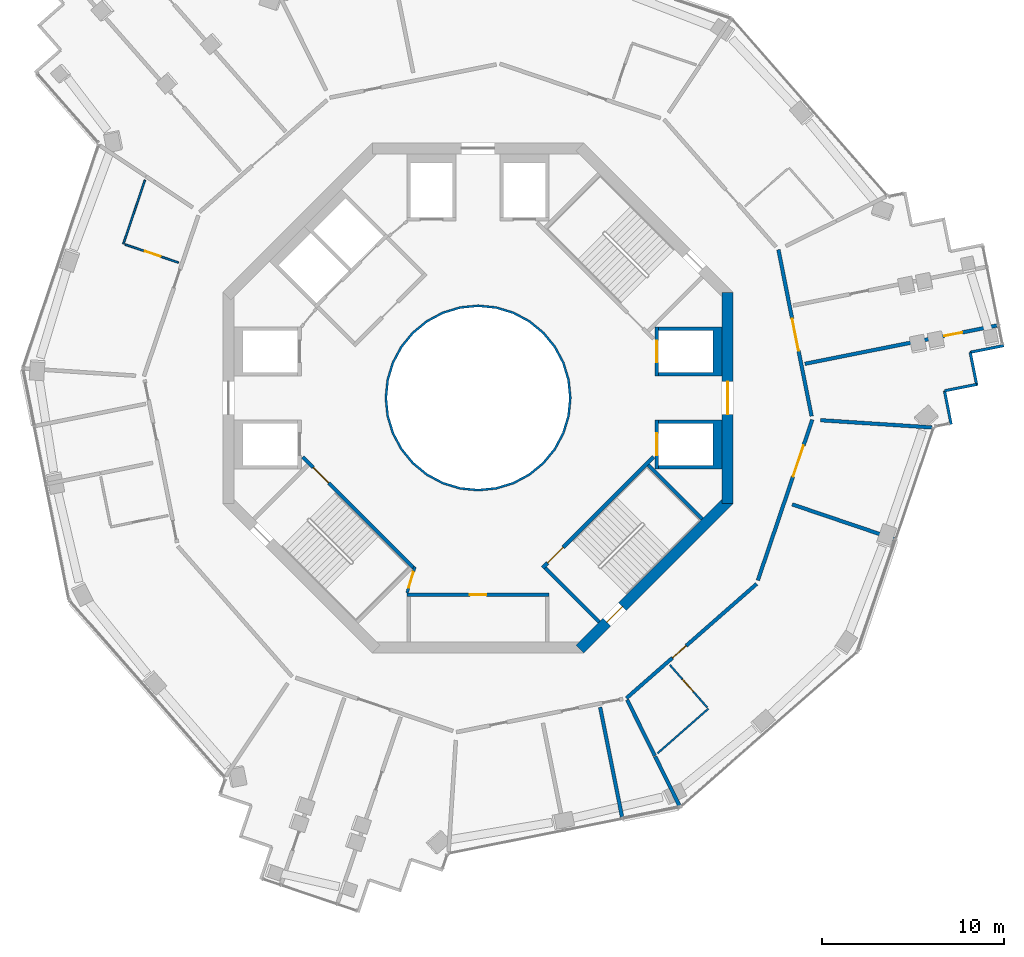
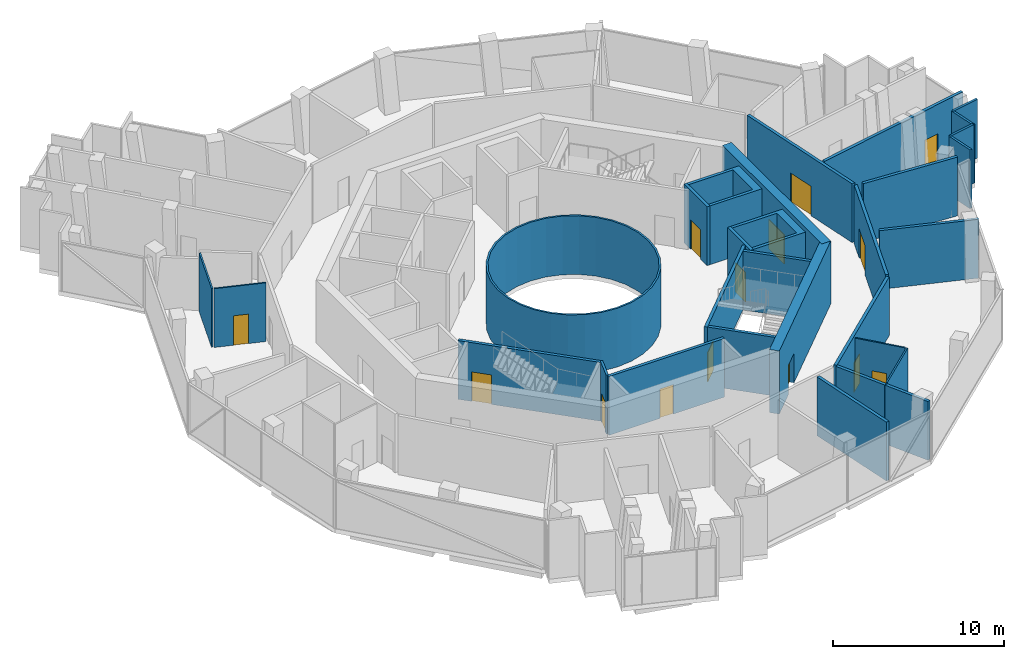
# One storey, part 12 of 17: 30 walls, 14 doors, 14 openings.
"""IFC4 building model written with IfcOpenShell, lengths in metres."""

from ifc_helpers import new_model, si_unit, direction, frame, frame_2d, origin, place, context, subcontext, project, spatial, polyline, rectangle, outline, extrude, material, layer, layer_set, type_object, element, fill, save


model = new_model("IFC4")

# Units and contexts
model_context = context("Model", 3, precision=1e-05, world=origin(), true_north=direction((0.0, 1.0)))
body_context = subcontext(model_context, "Body", "Model", "MODEL_VIEW")
ifc_project = project(units=[si_unit("LENGTHUNIT", "METRE"), si_unit("AREAUNIT", "SQUARE_METRE"), si_unit("VOLUMEUNIT", "CUBIC_METRE"), si_unit("PLANEANGLEUNIT", "RADIAN"), si_unit("MASSUNIT", "GRAM", prefix="KILO")], contexts=[model_context])

# Site, building, storey
site_placement = place(None, origin())
site = spatial("IfcSite", under=ifc_project, at=site_placement, CompositionType="ELEMENT")
building_placement = place(site_placement, origin())
building = spatial("IfcBuilding", under=site, at=building_placement, Name="Verdalira Terraces Hotel", CompositionType="ELEMENT")
storey_placement = place(building_placement, frame((0.0, 0.0, 201.0)))
storey = spatial("IfcBuildingStorey", under=building, at=storey_placement, Name="L49", CompositionType="ELEMENT", Elevation=201.0)

# Walls
ifc_material_1 = material(Name="Fire-resisting glass EI 180", Category="glass")
ifc_layer_1 = layer(ifc_material_1, 0.1201171875)
ifc_layer_set_1 = layer_set([ifc_layer_1], Name="Atrium fire screen 120 mm")
wall_type_1 = type_object("IfcWallType", Name="Atrium fire screen 120 mm", PredefinedType="SOLIDWALL", material=ifc_layer_set_1)
wall_1_placement = place(storey_placement, origin())
element("IfcWall", 1, at=wall_1_placement, inside=storey, type_object=wall_type_1, Name="Atrium fire screen", PredefinedType="SOLIDWALL", context=body_context, shape_type="SweptSolid", body=[
    extrude(outline(polyline([(5.021484, -0.998779), (4.730225, -1.959229), (4.25708, -2.844482), (3.620361, -3.620361), (2.844482, -4.25708), (1.959229, -4.730225), (0.998779, -5.021484), (0.0, -5.120117), (-0.998779, -5.021484), (-1.959229, -4.730225), (-2.844482, -4.25708), (-3.620361, -3.620361), (-4.25708, -2.844482), (-4.730225, -1.959229), (-5.021484, -0.998779), (-5.120117, 0.0), (-5.021484, 0.998779), (-4.730225, 1.959229), (-4.25708, 2.844482), (-3.620361, 3.620361), (-2.844482, 4.25708), (-1.959229, 4.730225), (-0.998779, 5.021484), (0.0, 5.120117), (0.998779, 5.021484), (1.959229, 4.730225), (2.844482, 4.25708), (3.620361, 3.620361), (4.25708, 2.844482), (4.730225, 1.959229), (5.021484, 0.998779), (5.120117, 0.0), (5.021484, -0.998779)]), holes=[polyline([(4.903809, 0.975586), (4.619385, 1.91333), (4.157227, 2.777832), (3.5354, 3.5354), (2.777832, 4.157227), (1.91333, 4.619385), (0.975586, 4.903809), (0.0, 5.0), (-0.975586, 4.903809), (-1.91333, 4.619385), (-2.777832, 4.157227), (-3.5354, 3.5354), (-4.157227, 2.777832), (-4.619385, 1.91333), (-4.903809, 0.975586), (-5.0, 0.0), (-4.903809, -0.975586), (-4.619385, -1.91333), (-4.157227, -2.777832), (-3.5354, -3.5354), (-2.777832, -4.157227), (-1.91333, -4.619385), (-0.975586, -4.903809), (0.0, -5.0), (0.975586, -4.903809), (1.91333, -4.619385), (2.777832, -4.157227), (3.5354, -3.5354), (4.157227, -2.777832), (4.619385, -1.91333), (4.903809, -0.975586), (5.0, 0.0), (4.903809, 0.975586)])]), origin(), (0.0, 0.0, 1.0), 4.189941),
])
ifc_material_2 = material(Name="Moisture-resistant gypsum board partition")
ifc_layer_2 = layer(ifc_material_2, 0.10009765625)
ifc_layer_set_2 = layer_set([ifc_layer_2], Name="Bathroom partition 100 mm")
wall_type_2 = type_object("IfcWallType", Name="Bathroom partition 100 mm", PredefinedType="PARTITIONING", material=ifc_layer_set_2)
wall_2_placement = place(storey_placement, frame((-19.474609, 8.455811, 0.0), z_axis=(0.0, 0.0, 1.0), x_axis=(0.320910025, 0.947109685, 0.0)))
element("IfcWall", 2, at=wall_2_placement, inside=storey, type_object=wall_type_2, Name="Bathroom partition", PredefinedType="PARTITIONING", context=body_context, shape_type="SweptSolid", body=[
    extrude(rectangle(XDim=3.704102, YDim=0.100098, at=frame_2d((1.852051, 0.0))), origin(), (0.0, 0.0, 1.0), 4.189941),
])

# Wall, opening, door
wall_3_placement = place(storey_placement, frame((-19.379883, 8.423828, 0.0), z_axis=(0.0, 0.0, 1.0), x_axis=(0.947096316, -0.320949479, 0.0)))
wall_3 = element("IfcWall", 3, at=wall_3_placement, inside=storey, type_object=wall_type_2, Name="Bathroom partition", PredefinedType="PARTITIONING", context=body_context, shape_type="SweptSolid", body=[
    extrude(rectangle(XDim=3.099854, YDim=0.100098, at=frame_2d((1.549805, 0.0))), origin(), (0.0, 0.0, 1.0), 4.189941),
])
opening_1_placement = place(wall_3_placement, frame((1.149902, 0.0, 0.0)))
opening_1 = element("IfcOpeningElement", 4, at=opening_1_placement, cuts=wall_3, Name="Opening L49-105", PredefinedType="OPENING", context=body_context, shape_type="SweptSolid", body=[
    extrude(rectangle(XDim=0.899902, YDim=2.100098, at=frame_2d((0.449951, 1.050049))), frame((0.0, 0.060059, 0.0), z_axis=(0.0, -1.0, 0.0), x_axis=(1.0, 0.0, 0.0)), (0.0, 0.0, 1.0), 0.120117),
])
ifc_material_3 = material(Name="Timber door", Category="wood")
door_type_1 = type_object("IfcDoorType", Name="Bathroom door 900 x 2100", OperationType="NOTDEFINED", PredefinedType="DOOR", material=ifc_material_3)
door_1_placement = place(opening_1_placement, origin())
door_1 = element("IfcDoor", 5, at=door_1_placement, inside=storey, type_object=door_type_1, Name="Bathroom door 4902", OperationType="SINGLE_SWING_LEFT", OverallHeight=2.10009765625, OverallWidth=0.89990234375, PredefinedType="DOOR", context=body_context, shape_type="SweptSolid", body=[
    extrude(rectangle(XDim=0.899902, YDim=2.100098, at=frame_2d((0.449951, 1.050049))), frame((0.0, 0.024902, 0.0), z_axis=(0.0, -1.0, 0.0), x_axis=(1.0, 0.0, 0.0)), (0.0, 0.0, 1.0), 0.050049),
])
fill(opening_1, door_1)

# Wall
wall_4_placement = place(storey_placement, frame((12.637695, -17.060303, 0.0), z_axis=(0.0, 0.0, 1.0), x_axis=(-0.751489638, -0.659744893, 0.0)))
element("IfcWall", 6, at=wall_4_placement, inside=storey, type_object=wall_type_2, Name="Bathroom partition", PredefinedType="PARTITIONING", context=body_context, shape_type="SweptSolid", body=[
    extrude(rectangle(XDim=3.704346, YDim=0.100098, at=frame_2d((1.852051, 0.0))), origin(), (0.0, 0.0, 1.0), 4.189941),
])

# Wall, opening, door
wall_5_placement = place(storey_placement, frame((12.571533, -16.985352, 0.0), z_axis=(0.0, 0.0, 1.0), x_axis=(-0.65970247, 0.75152688, 0.0)))
wall_5 = element("IfcWall", 7, at=wall_5_placement, inside=storey, type_object=wall_type_2, Name="Bathroom partition", PredefinedType="PARTITIONING", context=body_context, shape_type="SweptSolid", body=[
    extrude(rectangle(XDim=3.100098, YDim=0.100098, at=frame_2d((1.550049, 0.0))), origin(), (0.0, 0.0, 1.0), 4.189941),
])
opening_2_placement = place(wall_5_placement, frame((1.149902, 0.0, 0.0)))
opening_2 = element("IfcOpeningElement", 8, at=opening_2_placement, cuts=wall_5, Name="Opening L49-113", PredefinedType="OPENING", context=body_context, shape_type="SweptSolid", body=[
    extrude(rectangle(XDim=0.899902, YDim=2.100098, at=frame_2d((0.449951, 1.050049))), frame((0.0, 0.060059, 0.0), z_axis=(0.0, -1.0, 0.0), x_axis=(1.0, 0.0, 0.0)), (0.0, 0.0, 1.0), 0.120117),
])
door_2_placement = place(opening_2_placement, origin())
door_2 = element("IfcDoor", 9, at=door_2_placement, inside=storey, type_object=door_type_1, Name="Bathroom door 4906", OperationType="SINGLE_SWING_LEFT", OverallHeight=2.10009765625, OverallWidth=0.89990234375, PredefinedType="DOOR", context=body_context, shape_type="SweptSolid", body=[
    extrude(rectangle(XDim=0.899902, YDim=2.100098, at=frame_2d((0.449951, 1.050049))), frame((0.0, 0.024902, 0.0), z_axis=(0.0, -1.0, 0.0), x_axis=(1.0, 0.0, 0.0)), (0.0, 0.0, 1.0), 0.050049),
])
fill(opening_2, door_2)

# Wall
ifc_material_4 = material(Name="Concrete C50", Category="concrete")
ifc_layer_3 = layer(ifc_material_4, 0.199951171875)
ifc_layer_set_3 = layer_set([ifc_layer_3], Name="Core RC wall 200 C50")
wall_type_3 = type_object("IfcWallType", Name="Core RC wall 200 C50", PredefinedType="SOLIDWALL", material=ifc_layer_set_3)
wall_6_placement = place(storey_placement, origin())
element("IfcWall", 10, at=wall_6_placement, inside=storey, type_object=wall_type_3, Name="L49 shaft wall E1", PredefinedType="SOLIDWALL", context=body_context, shape_type="SweptSolid", body=[
    extrude(outline(polyline([(13.399902, -3.899902), (9.899902, -3.899902), (9.899902, -3.699951), (12.899902, -3.699951), (12.899902, -1.399902), (9.899902, -1.399902), (9.899902, -1.199951), (13.399902, -1.199951), (13.399902, -3.899902)])), origin(), (0.0, 0.0, 1.0), 4.189941),
])

# Wall, opening, door
wall_7_placement = place(storey_placement, frame((9.800049, -1.199951, 0.0), z_axis=(0.0, 0.0, 1.0), x_axis=(0.0, -1.0, 0.0)))
wall_7 = element("IfcWall", 11, at=wall_7_placement, inside=storey, type_object=wall_type_3, Name="L49 shaft front wall E1", PredefinedType="SOLIDWALL", context=body_context, shape_type="SweptSolid", body=[
    extrude(rectangle(XDim=2.699951, YDim=0.199951, at=frame_2d((1.350098, 0.0))), origin(), (0.0, 0.0, 1.0), 4.189941),
])
opening_3_placement = place(wall_7_placement, frame((0.75, 0.0, 0.0)))
opening_3 = element("IfcOpeningElement", 12, at=opening_3_placement, cuts=wall_7, Name="Opening LD-L49-802", PredefinedType="OPENING", context=body_context, shape_type="SweptSolid", body=[
    extrude(rectangle(XDim=1.199951, YDim=2.100098, at=frame_2d((0.600098, 1.050049))), frame((0.0, 0.109863, 0.0), z_axis=(0.0, -1.0, 0.0), x_axis=(1.0, 0.0, 0.0)), (0.0, 0.0, 1.0), 0.219971),
])
ifc_material_5 = material(Name="Stainless steel", Category="steel")
door_type_2 = type_object("IfcDoorType", Name="Landing door 1200 x 2100", OperationType="NOTDEFINED", PredefinedType="DOOR", material=ifc_material_5)
door_3_placement = place(opening_3_placement, origin())
door_3 = element("IfcDoor", 13, at=door_3_placement, inside=storey, type_object=door_type_2, Name="Lift landing door HR1 L49", OperationType="DOUBLE_DOOR_SLIDING", OverallHeight=2.10009765625, OverallWidth=1.199951171875, PredefinedType="DOOR", context=body_context, shape_type="SweptSolid", body=[
    extrude(rectangle(XDim=1.199951, YDim=2.100098, at=frame_2d((0.600098, 1.050049))), frame((0.0, 0.024902, 0.0), z_axis=(0.0, -1.0, 0.0), x_axis=(1.0, 0.0, 0.0)), (0.0, 0.0, 1.0), 0.050049),
])
fill(opening_3, door_3)

# Wall
wall_8_placement = place(storey_placement, origin())
element("IfcWall", 14, at=wall_8_placement, inside=storey, type_object=wall_type_3, Name="L49 shaft wall E2", PredefinedType="SOLIDWALL", context=body_context, shape_type="SweptSolid", body=[
    extrude(outline(polyline([(13.399902, 3.899902), (13.399902, 1.199951), (9.899902, 1.199951), (9.899902, 1.399902), (12.899902, 1.399902), (12.899902, 3.699951), (9.899902, 3.699951), (9.899902, 3.899902), (13.399902, 3.899902)])), origin(), (0.0, 0.0, 1.0), 4.189941),
])

# Wall, opening, door
wall_9_placement = place(storey_placement, frame((9.800049, 1.199951, 0.0), z_axis=(0.0, 0.0, 1.0), x_axis=(0.0, 1.0, 0.0)))
wall_9 = element("IfcWall", 15, at=wall_9_placement, inside=storey, type_object=wall_type_3, Name="L49 shaft front wall E2", PredefinedType="SOLIDWALL", context=body_context, shape_type="SweptSolid", body=[
    extrude(rectangle(XDim=2.699951, YDim=0.199951, at=frame_2d((1.350098, 0.0))), origin(), (0.0, 0.0, 1.0), 4.189941),
])
opening_4_placement = place(wall_9_placement, frame((0.75, 0.0, 0.0)))
opening_4 = element("IfcOpeningElement", 16, at=opening_4_placement, cuts=wall_9, Name="Opening LD-L49-803", PredefinedType="OPENING", context=body_context, shape_type="SweptSolid", body=[
    extrude(rectangle(XDim=1.199951, YDim=2.100098, at=frame_2d((0.600098, 1.050049))), frame((0.0, 0.109863, 0.0), z_axis=(0.0, -1.0, 0.0), x_axis=(1.0, 0.0, 0.0)), (0.0, 0.0, 1.0), 0.219971),
])
door_4_placement = place(opening_4_placement, origin())
door_4 = element("IfcDoor", 17, at=door_4_placement, inside=storey, type_object=door_type_2, Name="Lift landing door HR2 L49", OperationType="DOUBLE_DOOR_SLIDING", OverallHeight=2.10009765625, OverallWidth=1.199951171875, PredefinedType="DOOR", context=body_context, shape_type="SweptSolid", body=[
    extrude(rectangle(XDim=1.199951, YDim=2.100098, at=frame_2d((0.600098, 1.050049))), frame((0.0, 0.024902, 0.0), z_axis=(0.0, -1.0, 0.0), x_axis=(1.0, 0.0, 0.0)), (0.0, 0.0, 1.0), 0.050049),
])
fill(opening_4, door_4)

wall_10_placement = place(storey_placement, frame((-3.899902, -10.800049, 0.0), z_axis=(0.0, 0.0, 1.0), x_axis=(1.0, 0.0, 0.0)))
wall_10 = element("IfcWall", 18, at=wall_10_placement, inside=storey, type_object=wall_type_3, Name="L49 store front wall", PredefinedType="SOLIDWALL", context=body_context, shape_type="SweptSolid", body=[
    extrude(rectangle(XDim=7.799805, YDim=0.199951, at=frame_2d((3.899902, 0.0))), origin(), (0.0, 0.0, 1.0), 4.189941),
])
opening_5_placement = place(wall_10_placement, frame((3.449951, 0.0, 0.0)))
opening_5 = element("IfcOpeningElement", 19, at=opening_5_placement, cuts=wall_10, Name="Opening L49-801", PredefinedType="OPENING", context=body_context, shape_type="SweptSolid", body=[
    extrude(rectangle(XDim=0.899902, YDim=2.100098, at=frame_2d((0.449951, 1.050049))), frame((0.0, 0.109863, 0.0), z_axis=(0.0, -1.0, 0.0), x_axis=(1.0, 0.0, 0.0)), (0.0, 0.0, 1.0), 0.219971),
])
ifc_material_6 = material(Name="Steel fire door", Category="steel")
door_type_3 = type_object("IfcDoorType", Name="Core room door 900 x 2100", OperationType="NOTDEFINED", PredefinedType="DOOR", material=ifc_material_6)
door_5_placement = place(opening_5_placement, origin())
door_5 = element("IfcDoor", 20, at=door_5_placement, inside=storey, type_object=door_type_3, Name="Store door L49 SS", OperationType="SINGLE_SWING_LEFT", OverallHeight=2.10009765625, OverallWidth=0.89990234375, PredefinedType="DOOR", context=body_context, shape_type="SweptSolid", body=[
    extrude(rectangle(XDim=0.899902, YDim=2.100098, at=frame_2d((0.449951, 1.050049))), frame((0.0, 0.024902, 0.0), z_axis=(0.0, -1.0, 0.0), x_axis=(1.0, 0.0, 0.0)), (0.0, 0.0, 1.0), 0.050049),
])
fill(opening_5, door_5)

wall_11_placement = place(storey_placement, frame((-3.5354, -9.33374, 0.0), z_axis=(0.0, 0.0, 1.0), x_axis=(-0.707120946, 0.707092617, 0.0)))
wall_11 = element("IfcWall", 21, at=wall_11_placement, inside=storey, type_object=wall_type_3, Name="L49 stair ST2 front wall", PredefinedType="SOLIDWALL", context=body_context, shape_type="SweptSolid", body=[
    extrude(rectangle(XDim=8.61792, YDim=0.199951, at=frame_2d((4.309082, 0.0))), origin(), (0.0, 0.0, 1.0), 4.189941),
])
opening_6_placement = place(wall_11_placement, frame((6.600098, 0.0, 0.0)))
opening_6 = element("IfcOpeningElement", 22, at=opening_6_placement, cuts=wall_11, Name="Opening L49-811", PredefinedType="OPENING", context=body_context, shape_type="SweptSolid", body=[
    extrude(rectangle(XDim=1.199951, YDim=2.100098, at=frame_2d((0.600098, 1.050049))), frame((0.0, 0.109863, 0.0), z_axis=(0.0, -1.0, 0.0), x_axis=(1.0, 0.0, 0.0)), (0.0, 0.0, 1.0), 0.219971),
])
ifc_material_7 = material(Name="Steel fire door", Category="steel")
door_type_4 = type_object("IfcDoorType", Name="Stair door 1200 x 2100", OperationType="NOTDEFINED", PredefinedType="DOOR", material=ifc_material_7)
door_6_placement = place(opening_6_placement, origin())
door_6 = element("IfcDoor", 23, at=door_6_placement, inside=storey, type_object=door_type_4, Name="Stair door ST2 L49", OperationType="SINGLE_SWING_RIGHT", OverallHeight=2.10009765625, OverallWidth=1.199951171875, PredefinedType="DOOR", context=body_context, shape_type="SweptSolid", body=[
    extrude(rectangle(XDim=1.199951, YDim=2.100098, at=frame_2d((0.600098, 1.050049))), frame((0.0, 0.024902, 0.0), z_axis=(0.0, -1.0, 0.0), x_axis=(1.0, 0.0, 0.0)), (0.0, 0.0, 1.0), 0.050049),
])
fill(opening_6, door_6)

wall_12_placement = place(storey_placement, frame((9.629395, -3.23999, 0.0), z_axis=(0.0, 0.0, 1.0), x_axis=(-0.707120946, -0.707092617, 0.0)))
wall_12 = element("IfcWall", 24, at=wall_12_placement, inside=storey, type_object=wall_type_3, Name="L49 stair ST3 front wall", PredefinedType="SOLIDWALL", context=body_context, shape_type="SweptSolid", body=[
    extrude(rectangle(XDim=8.61792, YDim=0.199951, at=frame_2d((4.309082, 0.0))), origin(), (0.0, 0.0, 1.0), 4.189941),
])
opening_7_placement = place(wall_12_placement, frame((7.017822, 0.0, 0.0)))
opening_7 = element("IfcOpeningElement", 25, at=opening_7_placement, cuts=wall_12, Name="Opening L49-812", PredefinedType="OPENING", context=body_context, shape_type="SweptSolid", body=[
    extrude(rectangle(XDim=1.199951, YDim=2.100098, at=frame_2d((0.600098, 1.050049))), frame((0.0, 0.109863, 0.0), z_axis=(0.0, -1.0, 0.0), x_axis=(1.0, 0.0, 0.0)), (0.0, 0.0, 1.0), 0.219971),
])
door_7_placement = place(opening_7_placement, origin())
door_7 = element("IfcDoor", 26, at=door_7_placement, inside=storey, type_object=door_type_4, Name="Stair door ST3 L49", OperationType="SINGLE_SWING_RIGHT", OverallHeight=2.10009765625, OverallWidth=1.199951171875, PredefinedType="DOOR", context=body_context, shape_type="SweptSolid", body=[
    extrude(rectangle(XDim=1.199951, YDim=2.100098, at=frame_2d((0.600098, 1.050049))), frame((0.0, 0.024902, 0.0), z_axis=(0.0, -1.0, 0.0), x_axis=(1.0, 0.0, 0.0)), (0.0, 0.0, 1.0), 0.050049),
])
fill(opening_7, door_7)

# Walls
for number, where, z_axis, x_axis, name in (
    (27, (3.677002, -9.33374, 0.0), (0.0, 0.0, 1.0), (0.707077716, -0.707135845, 0.0), "L49 stair ST3 end wall 1"),
    (28, (9.33374, -3.677002, 0.0), (0.0, 0.0, 1.0), (0.707135845, -0.707077716, 0.0), "L49 stair ST3 end wall 2"),
):
    element("IfcWall", number, at=place(storey_placement, frame(where, z_axis=z_axis, x_axis=x_axis)), inside=storey, type_object=wall_type_3, Name=name, PredefinedType="SOLIDWALL", context=body_context, shape_type="SweptSolid", body=[
        extrude(rectangle(XDim=4.199951, YDim=0.199951, at=frame_2d((2.100098, 0.0))), origin(), (0.0, 0.0, 1.0), 4.189941),
    ])

# Wall, opening, door
ifc_material_8 = material(Name="Gypsum board partition")
ifc_layer_4 = layer(ifc_material_8, 0.14990234375)
ifc_layer_set_4 = layer_set([ifc_layer_4], Name="Core partition 150 mm")
wall_type_4 = type_object("IfcWallType", Name="Core partition 150 mm", PredefinedType="PARTITIONING", material=ifc_layer_set_4)
wall_13_placement = place(storey_placement, frame((-3.464844, -9.263184, 0.0), z_axis=(0.0, 0.0, 1.0), x_axis=(-0.289808785, -0.957084567, 0.0)))
wall_13 = element("IfcWall", 29, at=wall_13_placement, inside=storey, type_object=wall_type_4, Name="Room partition L49", PredefinedType="PARTITIONING", context=body_context, shape_type="SweptSolid", body=[
    extrude(rectangle(XDim=1.501221, YDim=0.149902, at=frame_2d((0.750488, 0.0))), origin(), (0.0, 0.0, 1.0), 4.189941),
])
opening_8_placement = place(wall_13_placement, frame((0.300781, 0.0, 0.0)))
opening_8 = element("IfcOpeningElement", 30, at=opening_8_placement, cuts=wall_13, Name="Opening L49-822", PredefinedType="OPENING", context=body_context, shape_type="SweptSolid", body=[
    extrude(rectangle(XDim=0.899902, YDim=2.100098, at=frame_2d((0.449951, 1.050049))), frame((0.0, 0.084961, 0.0), z_axis=(0.0, -1.0, 0.0), x_axis=(1.0, 0.0, 0.0)), (0.0, 0.0, 1.0), 0.169922),
])
door_8_placement = place(opening_8_placement, origin())
door_8 = element("IfcDoor", 31, at=door_8_placement, inside=storey, type_object=door_type_3, Name="Door L49 room5", OperationType="SINGLE_SWING_LEFT", OverallHeight=2.10009765625, OverallWidth=0.89990234375, PredefinedType="DOOR", context=body_context, shape_type="SweptSolid", body=[
    extrude(rectangle(XDim=0.899902, YDim=2.100098, at=frame_2d((0.449951, 1.050049))), frame((0.0, 0.024902, 0.0), z_axis=(0.0, -1.0, 0.0), x_axis=(1.0, 0.0, 0.0)), (0.0, 0.0, 1.0), 0.050049),
])
fill(opening_8, door_8)

ifc_material_9 = material(Name="Concrete C60", Category="concrete")
ifc_layer_5 = layer(ifc_material_9, 0.60009765625)
ifc_layer_set_5 = layer_set([ifc_layer_5], Name="Core wall 600 C60")
wall_type_5 = type_object("IfcWallType", Name="Core wall 600 C60", PredefinedType="SHEAR", material=ifc_layer_set_5)
wall_14_placement = place(storey_placement, frame((13.699951, -5.799072, 0.0), z_axis=(0.0, 0.0, 1.0), x_axis=(0.0, 1.0, 0.0)))
wall_14 = element("IfcWall", 32, at=wall_14_placement, inside=storey, type_object=wall_type_5, Name="Core wall CW-L49-1", PredefinedType="SHEAR", context=body_context, shape_type="SweptSolid", body=[
    extrude(rectangle(XDim=11.598145, YDim=0.600098, at=frame_2d((5.799072, 0.0))), origin(), (0.0, 0.0, 1.0), 4.5),
])
opening_9_placement = place(wall_14_placement, frame((4.898926, 0.0, 0.0)))
opening_9 = element("IfcOpeningElement", 33, at=opening_9_placement, cuts=wall_14, Name="Opening L49-813", PredefinedType="OPENING", context=body_context, shape_type="SweptSolid", body=[
    extrude(rectangle(XDim=1.800049, YDim=2.100098, at=frame_2d((0.899902, 1.050049))), frame((0.0, 0.310059, 0.0), z_axis=(0.0, -1.0, 0.0), x_axis=(1.0, 0.0, 0.0)), (0.0, 0.0, 1.0), 0.620117),
])
ifc_material_10 = material(Name="Steel fire door", Category="steel")
door_type_5 = type_object("IfcDoorType", Name="Core entry door pair 1800 x 2100", OperationType="NOTDEFINED", PredefinedType="DOOR", material=ifc_material_10)
door_9_placement = place(opening_9_placement, origin())
door_9 = element("IfcDoor", 34, at=door_9_placement, inside=storey, type_object=door_type_5, Name="Core entry door L49 0", OperationType="DOUBLE_DOOR_SINGLE_SWING", OverallHeight=2.10009765625, OverallWidth=1.800048828125, PredefinedType="DOOR", context=body_context, shape_type="SweptSolid", body=[
    extrude(rectangle(XDim=1.800049, YDim=2.100098, at=frame_2d((0.899902, 1.050049))), frame((0.0, 0.024902, 0.0), z_axis=(0.0, -1.0, 0.0), x_axis=(1.0, 0.0, 0.0)), (0.0, 0.0, 1.0), 0.050049),
])
fill(opening_9, door_9)

wall_15_placement = place(storey_placement, frame((5.586914, -13.787842, 0.0), z_axis=(0.0, 0.0, 1.0), x_axis=(0.707106781, 0.707106781, 0.0)))
wall_15 = element("IfcWall", 35, at=wall_15_placement, inside=storey, type_object=wall_type_5, Name="Core wall CW-L49-8", PredefinedType="SHEAR", context=body_context, shape_type="SweptSolid", body=[
    extrude(rectangle(XDim=11.5979, YDim=0.600098, at=frame_2d((5.798828, 0.0))), origin(), (0.0, 0.0, 1.0), 4.5),
])
opening_10_placement = place(wall_15_placement, frame((2.099121, 0.0, 0.0)))
opening_10 = element("IfcOpeningElement", 36, at=opening_10_placement, cuts=wall_15, Name="Opening L49-818", PredefinedType="OPENING", context=body_context, shape_type="SweptSolid", body=[
    extrude(rectangle(XDim=1.199951, YDim=2.100098, at=frame_2d((0.600098, 1.050049))), frame((0.0, 0.310059, 0.0), z_axis=(0.0, -1.0, 0.0), x_axis=(1.0, 0.0, 0.0)), (0.0, 0.0, 1.0), 0.620117),
])
door_10_placement = place(opening_10_placement, origin())
door_10 = element("IfcDoor", 37, at=door_10_placement, inside=storey, type_object=door_type_4, Name="Stair exit door ST3 L49", OperationType="SINGLE_SWING_LEFT", OverallHeight=2.10009765625, OverallWidth=1.199951171875, PredefinedType="DOOR", context=body_context, shape_type="SweptSolid", body=[
    extrude(rectangle(XDim=1.199951, YDim=2.100098, at=frame_2d((0.600098, 1.050049))), frame((0.0, 0.024902, 0.0), z_axis=(0.0, -1.0, 0.0), x_axis=(1.0, 0.0, 0.0)), (0.0, 0.0, 1.0), 0.050049),
])
fill(opening_10, door_10)

# Walls
ifc_material_11 = material(Name="Fire-rated gypsum board wall")
ifc_layer_6 = layer(ifc_material_11, 0.199951171875)
ifc_layer_set_6 = layer_set([ifc_layer_6], Name="Demising wall 200 mm")
wall_type_6 = type_object("IfcWallType", Name="Demising wall 200 mm", PredefinedType="SOLIDWALL", material=ifc_layer_set_6)
wall_16_placement = place(storey_placement, frame((22.833008, -7.737305, 0.0), z_axis=(0.0, 0.0, 1.0), x_axis=(-0.947108286, 0.320914153, 0.0)))
element("IfcWall", 38, at=wall_16_placement, inside=storey, type_object=wall_type_6, Name="Demising wall", PredefinedType="SOLIDWALL", context=body_context, shape_type="SweptSolid", body=[
    extrude(rectangle(XDim=5.902832, YDim=0.199951, at=frame_2d((2.951416, 0.0))), origin(), (0.0, 0.0, 1.0), 4.189941),
])
wall_17_placement = place(storey_placement, frame((24.911621, -1.619629, 0.0), z_axis=(0.0, 0.0, 1.0), x_axis=(-0.997892173, 0.064893846, 0.0)))
element("IfcWall", 39, at=wall_17_placement, inside=storey, type_object=wall_type_6, Name="Demising wall", PredefinedType="SOLIDWALL", context=body_context, shape_type="SweptSolid", body=[
    extrude(rectangle(XDim=6.132324, YDim=0.199951, at=frame_2d((3.066162, 0.0))), origin(), (0.0, 0.0, 1.0), 4.189941),
])

# Wall, opening, door
wall_18_placement = place(storey_placement, frame((28.480713, 3.976318, 0.0), z_axis=(0.0, 0.0, 1.0), x_axis=(-0.980677514, -0.195631322, 0.0)))
wall_18 = element("IfcWall", 40, at=wall_18_placement, inside=storey, type_object=wall_type_6, Name="Demising wall", PredefinedType="SOLIDWALL", context=body_context, shape_type="SweptSolid", body=[
    extrude(rectangle(XDim=10.75, YDim=0.199951, at=frame_2d((5.375, 0.0))), origin(), (0.0, 0.0, 1.0), 4.189941),
])
opening_11_placement = place(wall_18_placement, frame((1.949951, 0.0, 0.0)))
opening_11 = element("IfcOpeningElement", 41, at=opening_11_placement, cuts=wall_18, Name="Opening L49-116", PredefinedType="OPENING", context=body_context, shape_type="SweptSolid", body=[
    extrude(rectangle(XDim=1.0, YDim=2.100098, at=frame_2d((0.5, 1.050049))), frame((0.0, 0.109863, 0.0), z_axis=(0.0, -1.0, 0.0), x_axis=(1.0, 0.0, 0.0)), (0.0, 0.0, 1.0), 0.219971),
])
ifc_material_12 = material(Name="Timber fire door", Category="wood")
door_type_6 = type_object("IfcDoorType", Name="Public room door 1000 x 2100", OperationType="NOTDEFINED", PredefinedType="DOOR", material=ifc_material_12)
door_11_placement = place(opening_11_placement, origin())
door_11 = element("IfcDoor", 42, at=door_11_placement, inside=storey, type_object=door_type_6, Name="Public room door 4908", OperationType="SINGLE_SWING_LEFT", OverallHeight=2.10009765625, OverallWidth=1.0, PredefinedType="DOOR", context=body_context, shape_type="SweptSolid", body=[
    extrude(rectangle(XDim=1.0, YDim=2.100098, at=frame_2d((0.5, 1.050049))), frame((0.0, 0.024902, 0.0), z_axis=(0.0, -1.0, 0.0), x_axis=(1.0, 0.0, 0.0)), (0.0, 0.0, 1.0), 0.050049),
])
fill(opening_11, door_11)

ifc_material_13 = material(Name="Fire-rated gypsum board wall")
ifc_layer_7 = layer(ifc_material_13, 0.199951171875)
ifc_layer_set_7 = layer_set([ifc_layer_7], Name="Guest corridor wall 200 mm")
wall_type_7 = type_object("IfcWallType", Name="Guest corridor wall 200 mm", PredefinedType="SOLIDWALL", material=ifc_layer_set_7)
wall_19_placement = place(storey_placement, frame((15.29126, -10.206299, 0.0), z_axis=(0.0, 0.0, 1.0), x_axis=(-0.75148862, -0.659746052, 0.0)))
wall_19 = element("IfcWall", 43, at=wall_19_placement, inside=storey, type_object=wall_type_7, Name="Guest corridor wall", PredefinedType="SOLIDWALL", context=body_context, shape_type="SweptSolid", body=[
    extrude(rectangle(XDim=9.516357, YDim=0.199951, at=frame_2d((4.758301, 0.0))), origin(), (0.0, 0.0, 1.0), 4.189941),
])
opening_12_placement = place(wall_19_placement, frame((5.149902, 0.0, 0.0)))
opening_12 = element("IfcOpeningElement", 44, at=opening_12_placement, cuts=wall_19, Name="Opening L49-112", PredefinedType="OPENING", context=body_context, shape_type="SweptSolid", body=[
    extrude(rectangle(XDim=1.0, YDim=2.100098, at=frame_2d((0.5, 1.050049))), frame((0.0, 0.109863, 0.0), z_axis=(0.0, -1.0, 0.0), x_axis=(1.0, 0.0, 0.0)), (0.0, 0.0, 1.0), 0.219971),
])
ifc_material_14 = material(Name="Timber fire door", Category="wood")
door_type_7 = type_object("IfcDoorType", Name="Guest entry door 1000 x 2100", OperationType="NOTDEFINED", PredefinedType="DOOR", material=ifc_material_14)
door_12_placement = place(opening_12_placement, origin())
door_12 = element("IfcDoor", 45, at=door_12_placement, inside=storey, type_object=door_type_7, Name="Guest entry door 4906", OperationType="SINGLE_SWING_LEFT", OverallHeight=2.10009765625, OverallWidth=1.0, PredefinedType="DOOR", context=body_context, shape_type="SweptSolid", body=[
    extrude(rectangle(XDim=1.0, YDim=2.100098, at=frame_2d((0.5, 1.050049))), frame((0.0, 0.024902, 0.0), z_axis=(0.0, -1.0, 0.0), x_axis=(1.0, 0.0, 0.0)), (0.0, 0.0, 1.0), 0.050049),
])
fill(opening_12, door_12)

wall_20_placement = place(storey_placement, frame((18.345947, -1.192871, 0.0), z_axis=(0.0, 0.0, 1.0), x_axis=(-0.320925337, -0.947104497, 0.0)))
wall_20 = element("IfcWall", 46, at=wall_20_placement, inside=storey, type_object=wall_type_7, Name="Guest corridor wall", PredefinedType="SOLIDWALL", context=body_context, shape_type="SweptSolid", body=[
    extrude(rectangle(XDim=9.315918, YDim=0.199951, at=frame_2d((4.657959, 0.0))), origin(), (0.0, 0.0, 1.0), 4.189941),
])
opening_13_placement = place(wall_20_placement, frame((1.5, 0.0, 0.0)))
opening_13 = element("IfcOpeningElement", 47, at=opening_13_placement, cuts=wall_20, Name="Opening L49-114", PredefinedType="OPENING", context=body_context, shape_type="SweptSolid", body=[
    extrude(rectangle(XDim=1.800049, YDim=2.100098, at=frame_2d((0.899902, 1.050049))), frame((0.0, 0.109863, 0.0), z_axis=(0.0, -1.0, 0.0), x_axis=(1.0, 0.0, 0.0)), (0.0, 0.0, 1.0), 0.219971),
])
ifc_material_15 = material(Name="Timber fire door", Category="wood")
door_type_8 = type_object("IfcDoorType", Name="Public room double door 1800 x 2100", OperationType="NOTDEFINED", PredefinedType="DOOR", material=ifc_material_15)
door_13_placement = place(opening_13_placement, origin())
door_13 = element("IfcDoor", 48, at=door_13_placement, inside=storey, type_object=door_type_8, Name="Public room double door 4907", OperationType="DOUBLE_DOOR_SINGLE_SWING", OverallHeight=2.10009765625, OverallWidth=1.800048828125, PredefinedType="DOOR", context=body_context, shape_type="SweptSolid", body=[
    extrude(rectangle(XDim=1.800049, YDim=2.100098, at=frame_2d((0.899902, 1.050049))), frame((0.0, 0.024902, 0.0), z_axis=(0.0, -1.0, 0.0), x_axis=(1.0, 0.0, 0.0)), (0.0, 0.0, 1.0), 0.050049),
])
fill(opening_13, door_13)

wall_21_placement = place(storey_placement, frame((16.484619, 8.139893, 0.0), z_axis=(0.0, 0.0, 1.0), x_axis=(0.195597039, -0.980684352, 0.0)))
wall_21 = element("IfcWall", 49, at=wall_21_placement, inside=storey, type_object=wall_type_7, Name="Guest corridor wall", PredefinedType="SOLIDWALL", context=body_context, shape_type="SweptSolid", body=[
    extrude(rectangle(XDim=9.316406, YDim=0.199951, at=frame_2d((4.658203, 0.0))), origin(), (0.0, 0.0, 1.0), 4.189941),
])
opening_14_placement = place(wall_21_placement, frame((3.865234, 0.0, 0.0)))
opening_14 = element("IfcOpeningElement", 50, at=opening_14_placement, cuts=wall_21, Name="Opening L49-115", PredefinedType="OPENING", context=body_context, shape_type="SweptSolid", body=[
    extrude(rectangle(XDim=1.800049, YDim=2.100098, at=frame_2d((0.899902, 1.050049))), frame((0.0, 0.109863, 0.0), z_axis=(0.0, -1.0, 0.0), x_axis=(1.0, 0.0, 0.0)), (0.0, 0.0, 1.0), 0.219971),
])
door_14_placement = place(opening_14_placement, origin())
door_14 = element("IfcDoor", 51, at=door_14_placement, inside=storey, type_object=door_type_8, Name="Public room double door 4908", OperationType="DOUBLE_DOOR_SINGLE_SWING", OverallHeight=2.10009765625, OverallWidth=1.800048828125, PredefinedType="DOOR", context=body_context, shape_type="SweptSolid", body=[
    extrude(rectangle(XDim=1.800049, YDim=2.100098, at=frame_2d((0.899902, 1.050049))), frame((0.0, 0.024902, 0.0), z_axis=(0.0, -1.0, 0.0), x_axis=(1.0, 0.0, 0.0)), (0.0, 0.0, 1.0), 0.050049),
])
fill(opening_14, door_14)

# Walls
ifc_material_16 = material(Name="Fire-rated gypsum board wall")
ifc_layer_8 = layer(ifc_material_16, 0.199951171875)
ifc_layer_set_8 = layer_set([ifc_layer_8], Name="Service room wall 200 mm")
wall_type_8 = type_object("IfcWallType", Name="Service room wall 200 mm", PredefinedType="SOLIDWALL", material=ifc_layer_set_8)
wall_22_placement = place(storey_placement, frame((6.699951, -16.975586, 0.0), z_axis=(0.0, 0.0, 1.0), x_axis=(0.195589352, -0.980685885, 0.0)))
element("IfcWall", 52, at=wall_22_placement, inside=storey, type_object=wall_type_8, Name="Service room wall", PredefinedType="SOLIDWALL", context=body_context, shape_type="SweptSolid", body=[
    extrude(rectangle(XDim=6.150146, YDim=0.199951, at=frame_2d((3.075195, 0.0))), origin(), (0.0, 0.0, 1.0), 4.189941),
])
wall_23_placement = place(storey_placement, frame((8.185791, -16.577393, 0.0), z_axis=(0.0, 0.0, 1.0), x_axis=(0.442780312, -0.896630133, 0.0)))
element("IfcWall", 53, at=wall_23_placement, inside=storey, type_object=wall_type_8, Name="Service room wall", PredefinedType="SOLIDWALL", context=body_context, shape_type="SweptSolid", body=[
    extrude(rectangle(XDim=3.418457, YDim=0.199951, at=frame_2d((1.709229, 0.0))), origin(), (0.0, 0.0, 1.0), 4.189941),
])
wall_24_placement = place(storey_placement, frame((9.719727, -19.683594, 0.0), z_axis=(0.0, 0.0, 1.0), x_axis=(0.442732837, -0.896653576, 0.0)))
element("IfcWall", 54, at=wall_24_placement, inside=storey, type_object=wall_type_8, Name="Service room wall", PredefinedType="SOLIDWALL", context=body_context, shape_type="SweptSolid", body=[
    extrude(rectangle(XDim=3.011475, YDim=0.199951, at=frame_2d((1.505859, 0.0))), origin(), (0.0, 0.0, 1.0), 4.189941),
])
ifc_material_17 = material(Name="Terracotta cladding", Category="masonry")
ifc_layer_9 = layer(ifc_material_17, 0.14990234375)
ifc_layer_set_9 = layer_set([ifc_layer_9], Name="Terracotta clad wall 150")
wall_type_9 = type_object("IfcWallType", Name="Terracotta clad wall 150", PredefinedType="SOLIDWALL", material=ifc_layer_set_9)
wall_25_placement = place(storey_placement, frame((25.968262, -1.448486, 0.0), z_axis=(0.0, 0.0, 1.0), x_axis=(-0.195565244, 0.980690693, 0.0)))
element("IfcWall", 55, at=wall_25_placement, inside=storey, type_object=wall_type_9, Name="Terracotta cladding wall", PredefinedType="SOLIDWALL", context=body_context, shape_type="SweptSolid", body=[
    extrude(rectangle(XDim=1.875, YDim=0.149902, at=frame_2d((0.9375, 0.0))), origin(), (0.0, 0.0, 1.0), 4.189941),
])
wall_26_placement = place(storey_placement, frame((25.601562, 0.390381, 0.0), z_axis=(0.0, 0.0, 1.0), x_axis=(0.980684876, 0.195594411, 0.0)))
element("IfcWall", 56, at=wall_26_placement, inside=storey, type_object=wall_type_9, Name="Terracotta cladding wall", PredefinedType="SOLIDWALL", context=body_context, shape_type="SweptSolid", body=[
    extrude(rectangle(XDim=1.799805, YDim=0.149902, at=frame_2d((0.899902, 0.0))), origin(), (0.0, 0.0, 1.0), 4.189941),
])
wall_27_placement = place(storey_placement, frame((27.381348, 0.668945, 0.0), z_axis=(0.0, 0.0, 1.0), x_axis=(-0.195590219, 0.980685712, 0.0)))
element("IfcWall", 57, at=wall_27_placement, inside=storey, type_object=wall_type_9, Name="Terracotta cladding wall", PredefinedType="SOLIDWALL", context=body_context, shape_type="SweptSolid", body=[
    extrude(rectangle(XDim=1.874756, YDim=0.149902, at=frame_2d((0.9375, 0.0))), origin(), (0.0, 0.0, 1.0), 4.189941),
])
wall_28_placement = place(storey_placement, frame((27.014648, 2.507568, 0.0), z_axis=(0.0, 0.0, 1.0), x_axis=(0.980690693, 0.195565244, 0.0)))
element("IfcWall", 58, at=wall_28_placement, inside=storey, type_object=wall_type_9, Name="Terracotta cladding wall", PredefinedType="SOLIDWALL", context=body_context, shape_type="SweptSolid", body=[
    extrude(rectangle(XDim=1.875, YDim=0.149902, at=frame_2d((0.9375, 0.0))), origin(), (0.0, 0.0, 1.0), 4.189941),
])

save(model, "model.ifc")
